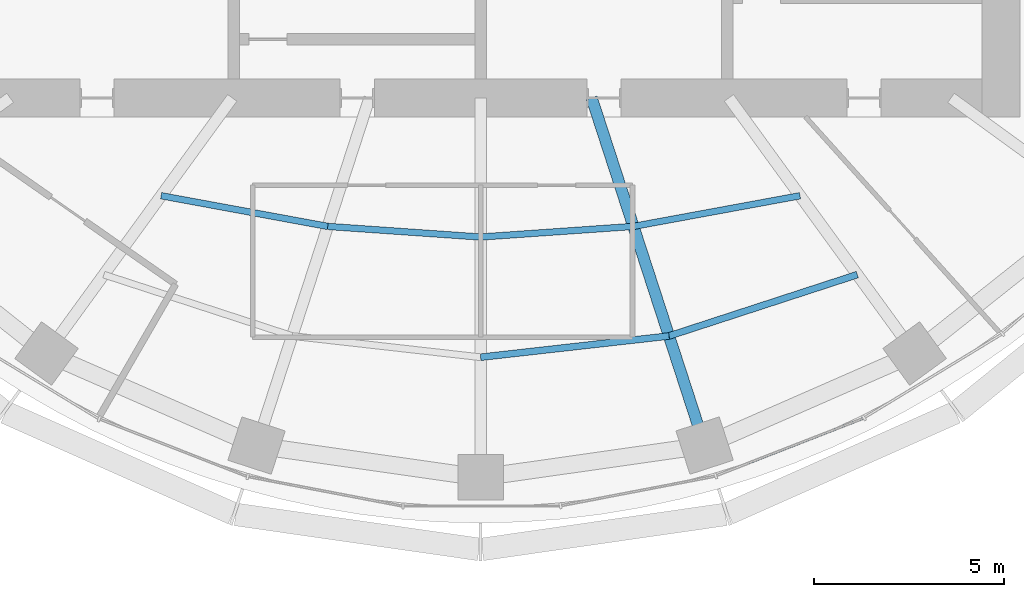
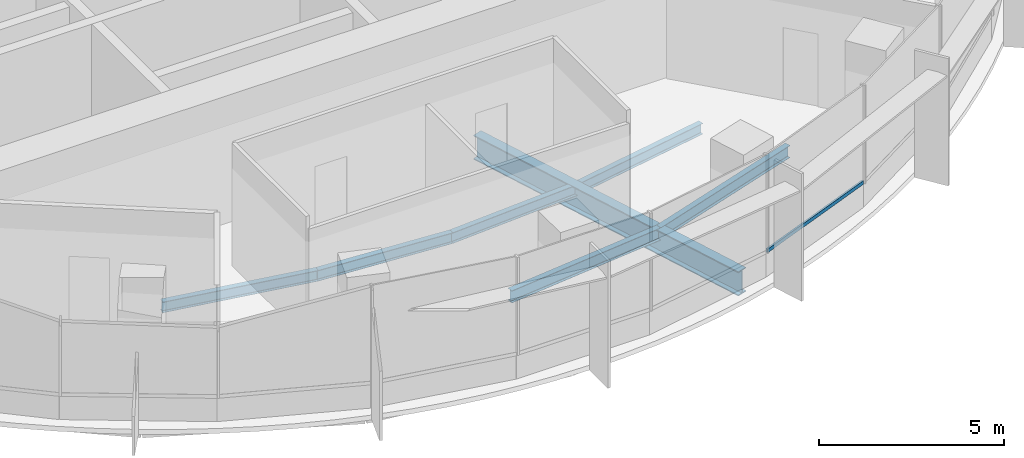
# One storey, part 3 of 13: 7 beams, 1 member, 1 element without a shape of its own.
"""IFC4 building model written with IfcOpenShell, lengths in metres."""

from ifc_helpers import new_model, si_unit, direction, frame, origin, origin_2d, place, context, subcontext, project, spatial, rectangle, i_section, extrude, material, material_profile, profile_set, type_object, element, aggregate, save


model = new_model("IFC4")

# Units and contexts
model_context = context("Model", 3, precision=1e-05, world=origin(), true_north=direction((0.0, 1.0)))
body_context = subcontext(model_context, "Body", "Model", "MODEL_VIEW")
ifc_project = project(units=[si_unit("LENGTHUNIT", "METRE"), si_unit("AREAUNIT", "SQUARE_METRE"), si_unit("VOLUMEUNIT", "CUBIC_METRE"), si_unit("PLANEANGLEUNIT", "RADIAN"), si_unit("MASSUNIT", "GRAM", prefix="KILO")], contexts=[model_context])

# Site, building, storey
site_placement = place(None, origin())
site = spatial("IfcSite", under=ifc_project, at=site_placement, CompositionType="ELEMENT")
building_placement = place(site_placement, origin())
building = spatial("IfcBuilding", under=site, at=building_placement, Name="Marramba Exchange Tower", CompositionType="ELEMENT")
storey_placement = place(building_placement, frame((0.0, 0.0, 268.60009765625)))
storey = spatial("IfcBuildingStorey", under=building, at=storey_placement, Name="L65", CompositionType="ELEMENT", Elevation=268.60009765625)

# Curtain wall, member
ifc_material_1 = material(Name="Aluminium framing, bronze anodised", Category="aluminium")
curtain_wall_type = type_object("IfcCurtainWallType", Name="Executive floor ribbon curtain wall", PredefinedType="USERDEFINED", material=ifc_material_1)
curtain_wall_placement = place(storey_placement, origin())
curtain_wall = element("IfcCurtainWall", 1, at=curtain_wall_placement, inside=storey, type_object=curtain_wall_type, Name="Curtain wall CW5 L65 F21-F25", ObjectType="RIBBON CURTAIN WALL", PredefinedType="USERDEFINED")
ifc_material_2 = material(Name="Aluminium transom, bronze anodised", Category="aluminium")
ifc_material_profile_1 = material_profile(ifc_material_2, rectangle(XDim=0.06005859375, YDim=0.1201171875, at=origin_2d()), Name="CW5 transom 60x120")
ifc_profile_set_1 = profile_set([ifc_material_profile_1], Name="Aluminium transom, bronze anodised")
member_type = type_object("IfcMemberType", Name="Executive floor ribbon curtain wall transom", PredefinedType="USERDEFINED", material=ifc_profile_set_1)
member_placement = place(storey_placement, frame((6.21826171875, -18.943603515625, 0.829833984375), z_axis=(0.931790621773, 0.362996194438, 0.0), x_axis=(-0.362996194438, 0.931790621773, 0.0)))
member = element("IfcMember", 2, at=member_placement, type_object=member_type, Name="CW5 sill transom", ObjectType="TRANSOM", PredefinedType="USERDEFINED", context=body_context, shape_type="SweptSolid", body=[
    extrude(rectangle(XDim=0.06005859375, YDim=0.1201171875, at=origin_2d()), origin(), (0.0, 0.0, 1.0), 4.13427734375),
])
aggregate(curtain_wall, [member])

# Beams
ifc_material_3 = material(Name="Steel AS/NZS 3679.1 grade 300", Category="steel")
ifc_material_profile_2 = material_profile(ifc_material_3, i_section(OverallWidth=0.1708984375, OverallDepth=0.35595703125, WebThickness=0.00732421875, FlangeThickness=0.011474609375, FilletRadius=0.011474609375, at=origin_2d()), Name="360UB50.7")
ifc_profile_set_2 = profile_set([ifc_material_profile_2], Name="Steel AS/NZS 3679.1 grade 300")
beam_type_1 = type_object("IfcBeamType", Name="Floor joist 360UB50.7", PredefinedType="JOIST", material=ifc_profile_set_2)
beam_1_placement = place(storey_placement, frame((-8.41162109375, -11.57763671875, -0.338134765625), z_axis=(0.983455754421, -0.181148500119, 0.0), x_axis=(0.181148500119, 0.983455754421, 0.0)))
element("IfcBeam", 3, at=beam_1_placement, inside=storey, type_object=beam_type_1, Name="Joist L65 bay 14 row 1", PredefinedType="JOIST", context=body_context, shape_type="SweptSolid", body=[
    extrude(i_section(OverallWidth=0.1708984375, OverallDepth=0.35595703125, WebThickness=0.00732421875, FlangeThickness=0.011474609375, FilletRadius=0.011474609375, at=origin_2d()), origin(), (0.0, 0.0, 1.0), 4.4609375),
])
for number, where, z_axis, x_axis, name in (
    (4, (-4.0244140625, -12.3857421875, -0.338134765625), (0.99759625901, -0.069294328838, 0.0), (0.069294328838, 0.99759625901, 0.0), "Joist L65 bay 15 row 1"),
    (5, (0.0, -12.665283203125, -0.338134765625), (0.99759625901, 0.069294328838, 0.0), (-0.069294328838, 0.99759625901, 0.0), "Joist L65 bay 16 row 1"),
):
    element("IfcBeam", number, at=place(storey_placement, frame(where, z_axis=z_axis, x_axis=x_axis)), inside=storey, type_object=beam_type_1, Name=name, PredefinedType="JOIST", context=body_context, shape_type="SweptSolid", body=[
        extrude(i_section(OverallWidth=0.1708984375, OverallDepth=0.35595703125, WebThickness=0.00732421875, FlangeThickness=0.011474609375, FilletRadius=0.011474609375, at=origin_2d()), origin(), (0.0, 0.0, 1.0), 4.0341796875),
    ])
beam_2_placement = place(storey_placement, frame((4.0244140625, -12.3857421875, -0.338134765625), z_axis=(0.983455754421, 0.181148500119, 0.0), x_axis=(-0.181148500119, 0.983455754421, 0.0)))
element("IfcBeam", 6, at=beam_2_placement, inside=storey, type_object=beam_type_1, Name="Joist L65 bay 17 row 1", PredefinedType="JOIST", context=body_context, shape_type="SweptSolid", body=[
    extrude(i_section(OverallWidth=0.1708984375, OverallDepth=0.35595703125, WebThickness=0.00732421875, FlangeThickness=0.011474609375, FilletRadius=0.011474609375, at=origin_2d()), origin(), (0.0, 0.0, 1.0), 4.4609375),
])
ifc_material_profile_3 = material_profile(ifc_material_3, i_section(OverallWidth=0.177978515625, OverallDepth=0.403076171875, WebThickness=0.007568359375, FlangeThickness=0.010986328125, FilletRadius=0.011474609375, at=origin_2d()), Name="410UB53.7")
ifc_profile_set_3 = profile_set([ifc_material_profile_3], Name="Steel AS/NZS 3679.1 grade 300")
beam_type_2 = type_object("IfcBeamType", Name="Floor joist 410UB53.7", PredefinedType="JOIST", material=ifc_profile_set_3)
beam_3_placement = place(storey_placement, frame((0.0, -15.83056640625, -0.361572265625), z_axis=(0.993712018573, 0.111966174106, 0.0), x_axis=(-0.111966174106, 0.993712018573, 0.0)))
element("IfcBeam", 7, at=beam_3_placement, inside=storey, type_object=beam_type_2, Name="Joist L65 bay 16 row 2", PredefinedType="JOIST", context=body_context, shape_type="SweptSolid", body=[
    extrude(i_section(OverallWidth=0.177978515625, OverallDepth=0.403076171875, WebThickness=0.007568359375, FlangeThickness=0.010986328125, FilletRadius=0.011474609375, at=origin_2d()), origin(), (0.0, 0.0, 1.0), 4.993408203125),
])
beam_4_placement = place(storey_placement, frame((4.9619140625, -15.271484375, -0.361572265625), z_axis=(0.950764024931, 0.309915744834, 0.0), x_axis=(-0.309915744834, 0.950764024931, 0.0)))
element("IfcBeam", 8, at=beam_4_placement, inside=storey, type_object=beam_type_2, Name="Joist L65 bay 17 row 2", PredefinedType="JOIST", context=body_context, shape_type="SweptSolid", body=[
    extrude(i_section(OverallWidth=0.177978515625, OverallDepth=0.403076171875, WebThickness=0.007568359375, FlangeThickness=0.010986328125, FilletRadius=0.011474609375, at=origin_2d()), origin(), (0.0, 0.0, 1.0), 5.2158203125),
])
ifc_material_4 = material(Name="Steel AS/NZS 3679.2 grade 300", Category="steel")
ifc_material_profile_4 = material_profile(ifc_material_4, i_section(OverallWidth=0.300048828125, OverallDepth=0.800048828125, WebThickness=0.013916015625, FlangeThickness=0.031982421875, at=origin_2d()), Name="800WB192")
ifc_profile_set_4 = profile_set([ifc_material_profile_4], Name="Steel AS/NZS 3679.2 grade 300")
beam_type_3 = type_object("IfcBeamType", Name="Radial girder 800WB192", PredefinedType="BEAM", material=ifc_profile_set_4)
beam_5_placement = place(storey_placement, frame((2.92431640625, -9.0, -0.56005859375), z_axis=(0.309022428985, -0.951054750466, 0.0), x_axis=(0.951054750466, 0.309022428985, 0.0)))
element("IfcBeam", 9, at=beam_5_placement, inside=storey, type_object=beam_type_3, Name="Radial girder L65 TC17", PredefinedType="BEAM", context=body_context, shape_type="SweptSolid", body=[
    extrude(i_section(OverallWidth=0.300048828125, OverallDepth=0.800048828125, WebThickness=0.013916015625, FlangeThickness=0.031982421875, at=origin_2d()), origin(), (0.0, 0.0, 1.0), 9.628173828125),
])

save(model, "model.ifc")
